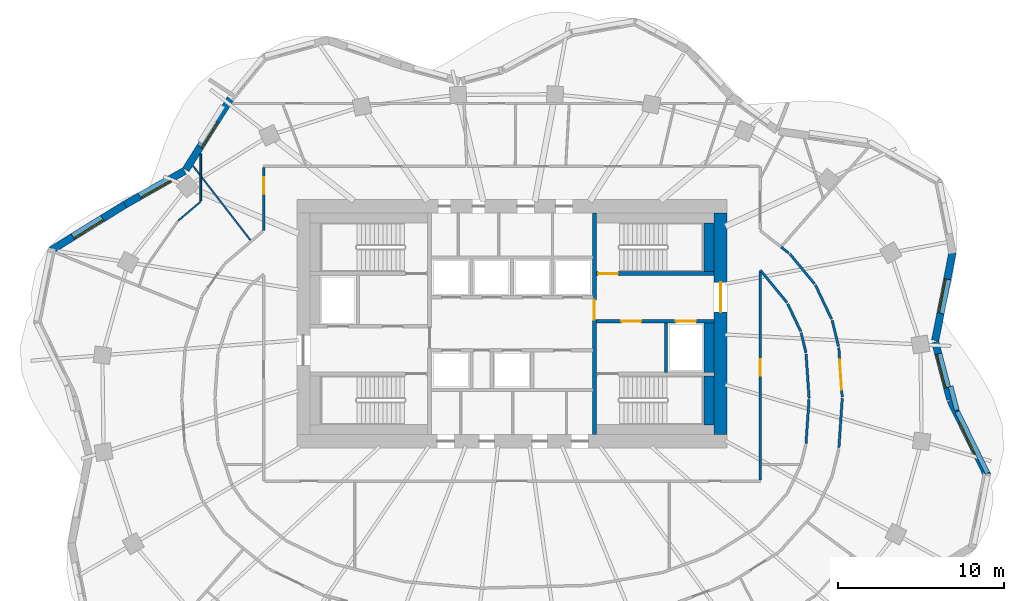
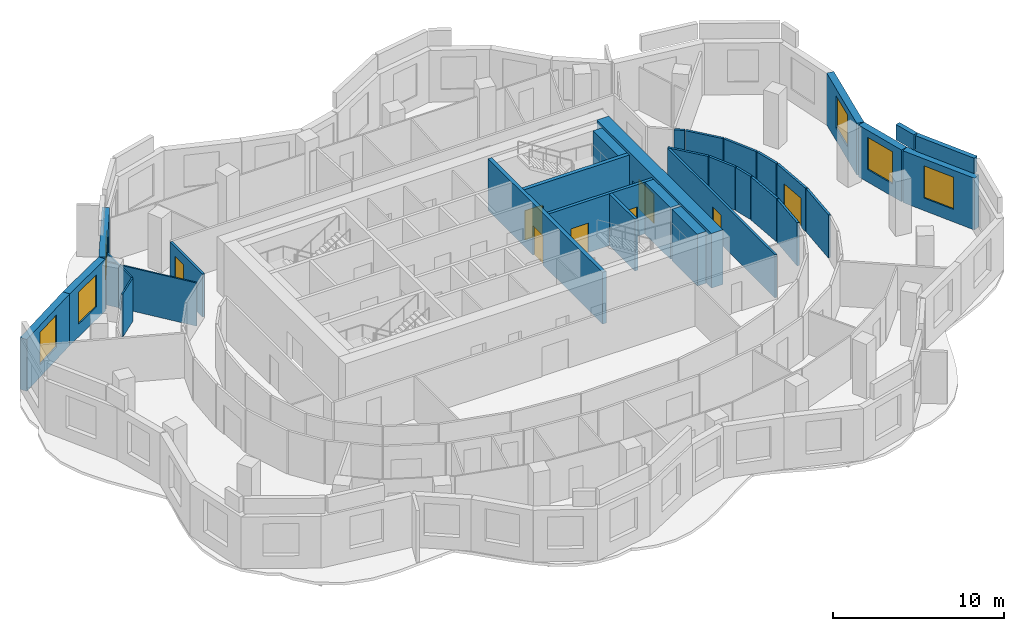
# One storey, part 7 of 11: 32 walls, 8 doors, 6 windows, 14 openings.
"""IFC4 building model written with IfcOpenShell, lengths in metres."""

from ifc_helpers import new_model, si_unit, direction, frame, frame_2d, origin, place, context, subcontext, project, spatial, rectangle, extrude, material, layer, layer_set, type_object, element, fill, save


model = new_model("IFC4")

# Units and contexts
model_context = context("Model", 3, precision=1e-05, world=origin(), true_north=direction((0.0, 1.0)))
body_context = subcontext(model_context, "Body", "Model", "MODEL_VIEW")
ifc_project = project(units=[si_unit("LENGTHUNIT", "METRE"), si_unit("AREAUNIT", "SQUARE_METRE"), si_unit("VOLUMEUNIT", "CUBIC_METRE"), si_unit("PLANEANGLEUNIT", "RADIAN"), si_unit("MASSUNIT", "GRAM", prefix="KILO")], contexts=[model_context])

# Site, building, storey
site_placement = place(None, origin())
site = spatial("IfcSite", under=ifc_project, at=site_placement, CompositionType="ELEMENT")
building_placement = place(site_placement, origin())
building = spatial("IfcBuilding", under=site, at=building_placement, Name="Rubra Terraces Tower", CompositionType="ELEMENT")
storey_placement = place(building_placement, frame((0.0, 0.0, 237.0)))
storey = spatial("IfcBuildingStorey", under=building, at=storey_placement, Name="L58", CompositionType="ELEMENT", Elevation=237.0)

# Wall, opening, window
ifc_material_1 = material(Name="Brick masonry red-brown", Category="masonry")
ifc_layer_1 = layer(ifc_material_1, 0.449951171875)
ifc_layer_set_1 = layer_set([ifc_layer_1], Name="Brick masonry red-brown")
wall_type_1 = type_object("IfcWallType", Name="Brick facade wall 450", PredefinedType="SOLIDWALL", material=ifc_layer_set_1)
wall_1_placement = place(storey_placement, frame((26.469482421875, -0.0791015625, 0.0), z_axis=(0.0, 0.0, 1.0), x_axis=(-0.252446779859, 0.967610780913, 0.0)))
wall_1 = element("IfcWall", 1, at=wall_1_placement, inside=storey, type_object=wall_type_1, Name="Facade wall L58 bay 1", PredefinedType="SOLIDWALL", context=body_context, shape_type="SweptSolid", body=[
    extrude(rectangle(XDim=3.5947265625, YDim=0.449951171875, at=frame_2d((1.79736328125, 0.0))), origin(), (0.0, 0.0, 1.0), 3.699951171875),
])
opening_1_placement = place(wall_1_placement, frame((0.747314453125, 0.0, 0.89990234375)))
opening_1 = element("IfcOpeningElement", 2, at=opening_1_placement, cuts=wall_1, Name="Opening W1B", PredefinedType="OPENING", context=body_context, shape_type="SweptSolid", body=[
    extrude(rectangle(XDim=2.10009765625, YDim=2.300048828125, at=frame_2d((1.050048828125, 1.14990234375))), frame((0.0, 0.23486328125, 0.0), z_axis=(0.0, -1.0, 0.0), x_axis=(1.0, 0.0, 0.0)), (0.0, 0.0, 1.0), 0.469970703125),
])
ifc_material_2 = material(Name="Clear glass in aluminium frame", Category="aluminium")
window_type_1 = type_object("IfcWindowType", Name="Fixed deep-set window tall storey 2100 x 2300", PartitioningType="SINGLE_PANEL", PredefinedType="WINDOW", material=ifc_material_2)
window_1_placement = place(opening_1_placement, origin())
window_1 = element("IfcWindow", 3, at=window_1_placement, inside=storey, type_object=window_type_1, Name="Window L58 bay 1", OverallHeight=2.300048828125, OverallWidth=2.10009765625, PartitioningType="SINGLE_PANEL", PredefinedType="WINDOW", context=body_context, shape_type="SweptSolid", body=[
    extrude(rectangle(XDim=2.10009765625, YDim=2.300048828125, at=frame_2d((1.050048828125, 1.14990234375))), frame((0.0, 0.135009765625, 0.0), z_axis=(0.0, -1.0, 0.0), x_axis=(1.0, 0.0, 0.0)), (0.0, 0.0, 1.0), 0.06005859375),
])
fill(opening_1, window_1)

wall_2_placement = place(storey_placement, frame((25.561279296875, 3.490478515625, 0.0), z_axis=(0.0, 0.0, 1.0), x_axis=(0.192494026297, 0.981298145234, 0.0)))
wall_2 = element("IfcWall", 4, at=wall_2_placement, inside=storey, type_object=wall_type_1, Name="Facade wall L58 bay 2", PredefinedType="SOLIDWALL", context=body_context, shape_type="SweptSolid", body=[
    extrude(rectangle(XDim=5.446044921875, YDim=0.449951171875, at=frame_2d((2.72314453125, 0.0))), origin(), (0.0, 0.0, 1.0), 3.699951171875),
])
opening_2_placement = place(wall_2_placement, frame((1.673095703125, 0.0, 0.89990234375)))
opening_2 = element("IfcOpeningElement", 5, at=opening_2_placement, cuts=wall_2, Name="Opening W1B", PredefinedType="OPENING", context=body_context, shape_type="SweptSolid", body=[
    extrude(rectangle(XDim=2.10009765625, YDim=2.300048828125, at=frame_2d((1.050048828125, 1.14990234375))), frame((0.0, 0.23486328125, 0.0), z_axis=(0.0, -1.0, 0.0), x_axis=(1.0, 0.0, 0.0)), (0.0, 0.0, 1.0), 0.469970703125),
])
window_2_placement = place(opening_2_placement, origin())
window_2 = element("IfcWindow", 6, at=window_2_placement, inside=storey, type_object=window_type_1, Name="Window L58 bay 2", OverallHeight=2.300048828125, OverallWidth=2.10009765625, PartitioningType="SINGLE_PANEL", PredefinedType="WINDOW", context=body_context, shape_type="SweptSolid", body=[
    extrude(rectangle(XDim=2.10009765625, YDim=2.300048828125, at=frame_2d((1.050048828125, 1.14990234375))), frame((0.0, 0.135009765625, 0.0), z_axis=(0.0, -1.0, 0.0), x_axis=(1.0, 0.0, 0.0)), (0.0, 0.0, 1.0), 0.06005859375),
])
fill(opening_2, window_2)

wall_3_placement = place(storey_placement, frame((-16.998291015625, 18.0986328125, 0.0), z_axis=(0.0, 0.0, 1.0), x_axis=(-0.532745661304, -0.846275404559, 0.0)))
wall_3 = element("IfcWall", 7, at=wall_3_placement, inside=storey, type_object=wall_type_1, Name="Facade wall L58 bay 16", PredefinedType="SOLIDWALL", context=body_context, shape_type="SweptSolid", body=[
    extrude(rectangle(XDim=5.076171875, YDim=0.449951171875, at=frame_2d((2.5380859375, 0.0))), origin(), (0.0, 0.0, 1.0), 3.699951171875),
])
opening_3_placement = place(wall_3_placement, frame((1.63818359375, 0.0, 0.89990234375)))
opening_3 = element("IfcOpeningElement", 8, at=opening_3_placement, cuts=wall_3, Name="Opening W6B", PredefinedType="OPENING", context=body_context, shape_type="SweptSolid", body=[
    extrude(rectangle(XDim=1.800048828125, YDim=2.300048828125, at=frame_2d((0.89990234375, 1.14990234375))), frame((0.0, 0.23486328125, 0.0), z_axis=(0.0, -1.0, 0.0), x_axis=(1.0, 0.0, 0.0)), (0.0, 0.0, 1.0), 0.469970703125),
])
window_type_2 = type_object("IfcWindowType", Name="Fixed deep-set window at wind fin tall storey 1800 x 2300", PartitioningType="SINGLE_PANEL", PredefinedType="WINDOW", material=ifc_material_2)
window_3_placement = place(opening_3_placement, origin())
window_3 = element("IfcWindow", 9, at=window_3_placement, inside=storey, type_object=window_type_2, Name="Window L58 bay 16", OverallHeight=2.300048828125, OverallWidth=1.800048828125, PartitioningType="SINGLE_PANEL", PredefinedType="WINDOW", context=body_context, shape_type="SweptSolid", body=[
    extrude(rectangle(XDim=1.800048828125, YDim=2.300048828125, at=frame_2d((0.89990234375, 1.14990234375))), frame((0.0, 0.135009765625, 0.0), z_axis=(0.0, -1.0, 0.0), x_axis=(1.0, 0.0, 0.0)), (0.0, 0.0, 1.0), 0.06005859375),
])
fill(opening_3, window_3)

wall_4_placement = place(storey_placement, frame((-19.77587890625, 13.730712890625, 0.0), z_axis=(0.0, 0.0, 1.0), x_axis=(-0.870610133829, -0.491973571318, 0.0)))
wall_4 = element("IfcWall", 10, at=wall_4_placement, inside=storey, type_object=wall_type_1, Name="Facade wall L58 bay 17", PredefinedType="SOLIDWALL", context=body_context, shape_type="SweptSolid", body=[
    extrude(rectangle(XDim=4.1337890625, YDim=0.449951171875, at=frame_2d((2.06689453125, 0.0))), origin(), (0.0, 0.0, 1.0), 3.699951171875),
])
opening_4_placement = place(wall_4_placement, frame((1.016845703125, 0.0, 0.89990234375)))
opening_4 = element("IfcOpeningElement", 11, at=opening_4_placement, cuts=wall_4, Name="Opening W1B", PredefinedType="OPENING", context=body_context, shape_type="SweptSolid", body=[
    extrude(rectangle(XDim=2.10009765625, YDim=2.300048828125, at=frame_2d((1.050048828125, 1.14990234375))), frame((0.0, 0.23486328125, 0.0), z_axis=(0.0, -1.0, 0.0), x_axis=(1.0, 0.0, 0.0)), (0.0, 0.0, 1.0), 0.469970703125),
])
window_4_placement = place(opening_4_placement, origin())
window_4 = element("IfcWindow", 12, at=window_4_placement, inside=storey, type_object=window_type_1, Name="Window L58 bay 17", OverallHeight=2.300048828125, OverallWidth=2.10009765625, PartitioningType="SINGLE_PANEL", PredefinedType="WINDOW", context=body_context, shape_type="SweptSolid", body=[
    extrude(rectangle(XDim=2.10009765625, YDim=2.300048828125, at=frame_2d((1.050048828125, 1.14990234375))), frame((0.0, 0.135009765625, 0.0), z_axis=(0.0, -1.0, 0.0), x_axis=(1.0, 0.0, 0.0)), (0.0, 0.0, 1.0), 0.06005859375),
])
fill(opening_4, window_4)

wall_5_placement = place(storey_placement, frame((-23.368408203125, 11.700927734375, 0.0), z_axis=(0.0, 0.0, 1.0), x_axis=(-0.850251408633, -0.526376806211, 0.0)))
wall_5 = element("IfcWall", 13, at=wall_5_placement, inside=storey, type_object=wall_type_1, Name="Facade wall L58 bay 18", PredefinedType="SOLIDWALL", context=body_context, shape_type="SweptSolid", body=[
    extrude(rectangle(XDim=5.30224609375, YDim=0.449951171875, at=frame_2d((2.651123046875, 0.0))), origin(), (0.0, 0.0, 1.0), 3.699951171875),
])
opening_5_placement = place(wall_5_placement, frame((1.601318359375, 0.0, 0.89990234375)))
opening_5 = element("IfcOpeningElement", 14, at=opening_5_placement, cuts=wall_5, Name="Opening W1B", PredefinedType="OPENING", context=body_context, shape_type="SweptSolid", body=[
    extrude(rectangle(XDim=2.10009765625, YDim=2.300048828125, at=frame_2d((1.050048828125, 1.14990234375))), frame((0.0, 0.23486328125, 0.0), z_axis=(0.0, -1.0, 0.0), x_axis=(1.0, 0.0, 0.0)), (0.0, 0.0, 1.0), 0.469970703125),
])
window_5_placement = place(opening_5_placement, origin())
window_5 = element("IfcWindow", 15, at=window_5_placement, inside=storey, type_object=window_type_1, Name="Window L58 bay 18", OverallHeight=2.300048828125, OverallWidth=2.10009765625, PartitioningType="SINGLE_PANEL", PredefinedType="WINDOW", context=body_context, shape_type="SweptSolid", body=[
    extrude(rectangle(XDim=2.10009765625, YDim=2.300048828125, at=frame_2d((1.050048828125, 1.14990234375))), frame((0.0, 0.135009765625, 0.0), z_axis=(0.0, -1.0, 0.0), x_axis=(1.0, 0.0, 0.0)), (0.0, 0.0, 1.0), 0.06005859375),
])
fill(opening_5, window_5)

wall_6_placement = place(storey_placement, frame((28.70703125, -4.672119140625, 0.0), z_axis=(0.0, 0.0, 1.0), x_axis=(-0.439053549989, 0.898460895221, 0.0)))
wall_6 = element("IfcWall", 16, at=wall_6_placement, inside=storey, type_object=wall_type_1, Name="Facade wall L58 bay 40", PredefinedType="SOLIDWALL", context=body_context, shape_type="SweptSolid", body=[
    extrude(rectangle(XDim=5.061767578125, YDim=0.449951171875, at=frame_2d((2.53076171875, 0.0))), origin(), (0.0, 0.0, 1.0), 3.699951171875),
])
opening_6_placement = place(wall_6_placement, frame((1.48095703125, 0.0, 0.89990234375)))
opening_6 = element("IfcOpeningElement", 17, at=opening_6_placement, cuts=wall_6, Name="Opening W1B", PredefinedType="OPENING", context=body_context, shape_type="SweptSolid", body=[
    extrude(rectangle(XDim=2.10009765625, YDim=2.300048828125, at=frame_2d((1.050048828125, 1.14990234375))), frame((0.0, 0.23486328125, 0.0), z_axis=(0.0, -1.0, 0.0), x_axis=(1.0, 0.0, 0.0)), (0.0, 0.0, 1.0), 0.469970703125),
])
window_6_placement = place(opening_6_placement, origin())
window_6 = element("IfcWindow", 18, at=window_6_placement, inside=storey, type_object=window_type_1, Name="Window L58 bay 40", OverallHeight=2.300048828125, OverallWidth=2.10009765625, PartitioningType="SINGLE_PANEL", PredefinedType="WINDOW", context=body_context, shape_type="SweptSolid", body=[
    extrude(rectangle(XDim=2.10009765625, YDim=2.300048828125, at=frame_2d((1.050048828125, 1.14990234375))), frame((0.0, 0.135009765625, 0.0), z_axis=(0.0, -1.0, 0.0), x_axis=(1.0, 0.0, 0.0)), (0.0, 0.0, 1.0), 0.06005859375),
])
fill(opening_6, window_6)

# Walls
ifc_layer_2 = layer(ifc_material_1, 0.300048828125)
ifc_layer_set_2 = layer_set([ifc_layer_2], Name="Brick masonry red-brown")
wall_type_2 = type_object("IfcWallType", Name="Brick parapet 300", PredefinedType="PARAPET", material=ifc_layer_set_2)
wall_7_placement = place(storey_placement, frame((26.869140625, -0.72021484375, 3.89990234375), z_axis=(0.0, 0.0, 1.0), x_axis=(-0.252455198803, 0.967608584396, 0.0)))
element("IfcWall", 19, at=wall_7_placement, inside=storey, type_object=wall_type_2, Name="Parapet L58 bay 1", PredefinedType="PARAPET", context=body_context, shape_type="SweptSolid", body=[
    extrude(rectangle(XDim=1.4921875, YDim=0.300048828125, at=frame_2d((0.74609375, 0.0))), origin(), (0.0, 0.0, 1.0), 1.10009765625),
])
wall_8_placement = place(storey_placement, frame((28.719482421875, -4.5263671875, 3.89990234375), z_axis=(0.0, 0.0, 1.0), x_axis=(-0.439134033243, 0.898421560765, 0.0)))
element("IfcWall", 20, at=wall_8_placement, inside=storey, type_object=wall_type_2, Name="Parapet L58 bay 40", PredefinedType="PARAPET", context=body_context, shape_type="SweptSolid", body=[
    extrude(rectangle(XDim=4.14306640625, YDim=0.300048828125, at=frame_2d((2.071533203125, 0.0))), origin(), (0.0, 0.0, 1.0), 1.10009765625),
])

# Wall, opening, door
ifc_material_3 = material(Name="Concrete C50", Category="concrete")
ifc_layer_3 = layer(ifc_material_3, 0.800048828125)
ifc_layer_set_3 = layer_set([ifc_layer_3], Name="Concrete C50")
wall_type_3 = type_object("IfcWallType", Name="CORE WALL 800 C50", PredefinedType="SHEAR", material=ifc_layer_set_3)
wall_9_placement = place(storey_placement, frame((12.60009765625, -2.199951171875, 0.0), z_axis=(0.0, 0.0, 1.0), x_axis=(0.0, 1.0, 0.0)))
wall_9 = element("IfcWall", 21, at=wall_9_placement, inside=storey, type_object=wall_type_3, Name="CORE WALL E L58", PredefinedType="SHEAR", context=body_context, shape_type="SweptSolid", body=[
    extrude(rectangle(XDim=13.39990234375, YDim=0.800048828125, at=frame_2d((6.699951171875, 0.0))), origin(), (0.0, 0.0, 1.0), 3.89990234375),
])
opening_7_placement = place(wall_9_placement, frame((7.39990234375, 0.0, 0.0)))
opening_7 = element("IfcOpeningElement", 22, at=opening_7_placement, cuts=wall_9, Name="Opening L58.C02", PredefinedType="OPENING", context=body_context, shape_type="SweptSolid", body=[
    extrude(rectangle(XDim=1.800048828125, YDim=2.10009765625, at=frame_2d((0.89990234375, 1.050048828125))), frame((0.0, 0.409912109375, 0.0), z_axis=(0.0, -1.0, 0.0), x_axis=(1.0, 0.0, 0.0)), (0.0, 0.0, 1.0), 0.820068359375),
])
ifc_material_4 = material(Name="Painted steel", Category="steel")
door_type_1 = type_object("IfcDoorType", Name="Fire door 1800x2100 double", OperationType="NOTDEFINED", PredefinedType="DOOR", material=ifc_material_4)
door_1_placement = place(opening_7_placement, origin())
door_1 = element("IfcDoor", 23, at=door_1_placement, inside=storey, type_object=door_type_1, Name="Core entrance door FF2", OperationType="DOUBLE_DOOR_SINGLE_SWING", OverallHeight=2.10009765625, OverallWidth=1.800048828125, PredefinedType="DOOR", context=body_context, shape_type="SweptSolid", body=[
    extrude(rectangle(XDim=1.800048828125, YDim=2.10009765625, at=frame_2d((0.89990234375, 1.050048828125))), frame((0.0, 0.02490234375, 0.0), z_axis=(0.0, -1.0, 0.0), x_axis=(1.0, 0.0, 0.0)), (0.0, 0.0, 1.0), 0.050048828125),
])
fill(opening_7, door_1)

# Wall
ifc_material_5 = material(Name="Plasterboard on steel stud, mineral wool infill", Category="steel")
ifc_layer_4 = layer(ifc_material_5, 0.14990234375)
ifc_layer_set_4 = layer_set([ifc_layer_4], Name="Plasterboard on steel stud, mineral wool infill")
wall_type_4 = type_object("IfcWallType", Name="CORRIDOR PARTITION 150", PredefinedType="PARTITIONING", material=ifc_layer_set_4)
wall_10_placement = place(storey_placement, frame((19.745361328125, -2.9775390625, 0.0), z_axis=(0.0, 0.0, 1.0), x_axis=(0.068142324, 0.997675610447, 0.0)))
element("IfcWall", 24, at=wall_10_placement, inside=storey, type_object=wall_type_4, Name="PARTITION", PredefinedType="PARTITIONING", context=body_context, shape_type="SweptSolid", body=[
    extrude(rectangle(XDim=2.984375, YDim=0.14990234375, at=frame_2d((1.4921875, 0.0))), origin(), (0.0, 0.0, 1.0), 3.083984375),
])

# Wall, opening, door
wall_11_placement = place(storey_placement, frame((19.943603515625, 0.07470703125, 0.0), z_axis=(0.0, 0.0, 1.0), x_axis=(-0.068136763128, 0.997675990245, 0.0)))
wall_11 = element("IfcWall", 25, at=wall_11_placement, inside=storey, type_object=wall_type_4, Name="PARTITION", PredefinedType="PARTITIONING", context=body_context, shape_type="SweptSolid", body=[
    extrude(rectangle(XDim=2.984619140625, YDim=0.14990234375, at=frame_2d((1.4921875, 0.0))), origin(), (0.0, 0.0, 1.0), 3.083984375),
])
opening_8_placement = place(wall_11_placement, frame((0.449951171875, 0.0, 0.0)))
opening_8 = element("IfcOpeningElement", 26, at=opening_8_placement, cuts=wall_11, Name="Opening 58-111", PredefinedType="OPENING", context=body_context, shape_type="SweptSolid", body=[
    extrude(rectangle(XDim=1.800048828125, YDim=2.10009765625, at=frame_2d((0.89990234375, 1.050048828125))), frame((0.0, 0.0849609375, 0.0), z_axis=(0.0, -1.0, 0.0), x_axis=(1.0, 0.0, 0.0)), (0.0, 0.0, 1.0), 0.169921875),
])
ifc_material_6 = material(Name="Painted timber door leaf, double", Category="wood")
door_type_2 = type_object("IfcDoorType", Name="ROOM DOUBLE DOOR 1800 X 2100", OperationType="DOUBLE_DOOR_SINGLE_SWING", PredefinedType="DOOR", material=ifc_material_6)
door_2_placement = place(opening_8_placement, origin())
door_2 = element("IfcDoor", 27, at=door_2_placement, inside=storey, type_object=door_type_2, Name="DOOR 58-111", OperationType="DOUBLE_DOOR_SINGLE_SWING", OverallHeight=2.10009765625, OverallWidth=1.800048828125, PredefinedType="DOOR", context=body_context, shape_type="SweptSolid", body=[
    extrude(rectangle(XDim=1.800048828125, YDim=2.10009765625, at=frame_2d((0.89990234375, 1.050048828125))), frame((0.0, 0.02490234375, 0.0), z_axis=(0.0, -1.0, 0.0), x_axis=(1.0, 0.0, 0.0)), (0.0, 0.0, 1.0), 0.050048828125),
])
fill(opening_8, door_2)

# Walls
wall_12_placement = place(storey_placement, frame((19.722412109375, 3.125244140625, 0.0), z_axis=(0.0, 0.0, 1.0), x_axis=(-0.236703930685, 0.971581828359, 0.0)))
element("IfcWall", 28, at=wall_12_placement, inside=storey, type_object=wall_type_4, Name="PARTITION", PredefinedType="PARTITIONING", context=body_context, shape_type="SweptSolid", body=[
    extrude(rectangle(XDim=1.62646484375, YDim=0.14990234375, at=frame_2d((0.813232421875, 0.0))), origin(), (0.0, 0.0, 1.0), 3.083984375),
])
wall_13_placement = place(storey_placement, frame((19.305419921875, 4.7734375, 0.0), z_axis=(0.0, 0.0, 1.0), x_axis=(-0.428173054138, 0.903696760927, 0.0)))
element("IfcWall", 29, at=wall_13_placement, inside=storey, type_object=wall_type_4, Name="PARTITION", PredefinedType="PARTITIONING", context=body_context, shape_type="SweptSolid", body=[
    extrude(rectangle(XDim=2.299560546875, YDim=0.14990234375, at=frame_2d((1.14990234375, 0.0))), origin(), (0.0, 0.0, 1.0), 3.083984375),
])
wall_14_placement = place(storey_placement, frame((18.273193359375, 6.9091796875, 0.0), z_axis=(0.0, 0.0, 1.0), x_axis=(-0.63653648943, 0.771246586783, 0.0)))
element("IfcWall", 30, at=wall_14_placement, inside=storey, type_object=wall_type_4, Name="PARTITION", PredefinedType="PARTITIONING", context=body_context, shape_type="SweptSolid", body=[
    extrude(rectangle(XDim=2.341552734375, YDim=0.14990234375, at=frame_2d((1.1708984375, 0.0))), origin(), (0.0, 0.0, 1.0), 3.083984375),
])
wall_15_placement = place(storey_placement, frame((16.723876953125, 8.761474609375, 0.0), z_axis=(0.0, 0.0, 1.0), x_axis=(-0.785119021736, 0.619344913363, 0.0)))
element("IfcWall", 31, at=wall_15_placement, inside=storey, type_object=wall_type_4, Name="PARTITION", PredefinedType="PARTITIONING", context=body_context, shape_type="SweptSolid", body=[
    extrude(rectangle(XDim=0.608154296875, YDim=0.14990234375, at=frame_2d((0.30419921875, 0.0))), origin(), (0.0, 0.0, 1.0), 3.083984375),
])

# Wall, opening, door
wall_16_placement = place(storey_placement, frame((-15.0, 13.925048828125, 0.0), z_axis=(0.0, 0.0, 1.0), x_axis=(0.0, -1.0, 0.0)))
wall_16 = element("IfcWall", 32, at=wall_16_placement, inside=storey, type_object=wall_type_4, Name="PARTITION", PredefinedType="PARTITIONING", context=body_context, shape_type="SweptSolid", body=[
    extrude(rectangle(XDim=3.803466796875, YDim=0.14990234375, at=frame_2d((1.90185546875, 0.0))), origin(), (0.0, 0.0, 1.0), 3.083984375),
])
opening_9_placement = place(wall_16_placement, frame((0.56591796875, 0.0, 0.0)))
opening_9 = element("IfcOpeningElement", 33, at=opening_9_placement, cuts=wall_16, Name="Opening 58-118", PredefinedType="OPENING", context=body_context, shape_type="SweptSolid", body=[
    extrude(rectangle(XDim=1.0, YDim=2.39990234375, at=frame_2d((0.5, 1.199951171875))), frame((0.0, 0.0849609375, 0.0), z_axis=(0.0, -1.0, 0.0), x_axis=(1.0, 0.0, 0.0)), (0.0, 0.0, 1.0), 0.169921875),
])
ifc_material_7 = material(Name="Glazed aluminium meeting door leaf", Category="aluminium")
door_type_3 = type_object("IfcDoorType", Name="MEETING ROOM GLAZED DOOR 1000 X 2400", OperationType="SINGLE_SWING_LEFT", PredefinedType="DOOR", material=ifc_material_7)
door_3_placement = place(opening_9_placement, origin())
door_3 = element("IfcDoor", 34, at=door_3_placement, inside=storey, type_object=door_type_3, Name="DOOR 58-118", OperationType="SINGLE_SWING_RIGHT", OverallHeight=2.39990234375, OverallWidth=1.0, PredefinedType="DOOR", context=body_context, shape_type="SweptSolid", body=[
    extrude(rectangle(XDim=1.0, YDim=2.39990234375, at=frame_2d((0.5, 1.199951171875))), frame((0.0, 0.02490234375, 0.0), z_axis=(0.0, -1.0, 0.0), x_axis=(1.0, 0.0, 0.0)), (0.0, 0.0, 1.0), 0.050048828125),
])
fill(opening_9, door_3)

# Walls
wall_17_placement = place(storey_placement, frame((15.0, 7.73291015625, 0.0), z_axis=(0.0, 0.0, 1.0), x_axis=(0.636601263488, -0.771193121938, 0.0)))
element("IfcWall", 35, at=wall_17_placement, inside=storey, type_object=wall_type_4, Name="PARTITION", PredefinedType="PARTITIONING", context=body_context, shape_type="SweptSolid", body=[
    extrude(rectangle(XDim=2.544921875, YDim=0.14990234375, at=frame_2d((1.2724609375, 0.0))), origin(), (0.0, 0.0, 1.0), 3.083984375),
])
wall_18_placement = place(storey_placement, frame((16.652099609375, 5.702392578125, 0.0), z_axis=(0.0, 0.0, 1.0), x_axis=(0.428126129773, -0.903718992279, 0.0)))
element("IfcWall", 36, at=wall_18_placement, inside=storey, type_object=wall_type_4, Name="PARTITION", PredefinedType="PARTITIONING", context=body_context, shape_type="SweptSolid", body=[
    extrude(rectangle(XDim=1.846435546875, YDim=0.14990234375, at=frame_2d((0.92333984375, 0.0))), origin(), (0.0, 0.0, 1.0), 3.083984375),
])
wall_19_placement = place(storey_placement, frame((17.46044921875, 3.9609375, 0.0), z_axis=(0.0, 0.0, 1.0), x_axis=(0.236655249498, -0.971593687137, 0.0)))
element("IfcWall", 37, at=wall_19_placement, inside=storey, type_object=wall_type_4, Name="PARTITION", PredefinedType="PARTITIONING", context=body_context, shape_type="SweptSolid", body=[
    extrude(rectangle(XDim=1.25146484375, YDim=0.14990234375, at=frame_2d((0.625732421875, 0.0))), origin(), (0.0, 0.0, 1.0), 3.083984375),
])
wall_20_placement = place(storey_placement, frame((17.76171875, 2.67041015625, 0.0), z_axis=(0.0, 0.0, 1.0), x_axis=(0.068135311644, -0.997676089373, 0.0)))
element("IfcWall", 38, at=wall_20_placement, inside=storey, type_object=wall_type_4, Name="PARTITION", PredefinedType="PARTITIONING", context=body_context, shape_type="SweptSolid", body=[
    extrude(rectangle(XDim=2.676513671875, YDim=0.14990234375, at=frame_2d((1.33837890625, 0.0))), origin(), (0.0, 0.0, 1.0), 3.083984375),
])
wall_21_placement = place(storey_placement, frame((17.939208984375, -0.07470703125, 0.0), z_axis=(0.0, 0.0, 1.0), x_axis=(-0.068226099283, -0.99766988497, 0.0)))
element("IfcWall", 39, at=wall_21_placement, inside=storey, type_object=wall_type_4, Name="PARTITION", PredefinedType="PARTITIONING", context=body_context, shape_type="SweptSolid", body=[
    extrude(rectangle(XDim=2.6767578125, YDim=0.14990234375, at=frame_2d((1.33837890625, 0.0))), origin(), (0.0, 0.0, 1.0), 3.083984375),
])

# Wall, opening, door
wall_22_placement = place(storey_placement, frame((15.0, -4.925048828125, 0.0), z_axis=(0.0, 0.0, 1.0), x_axis=(0.0, 1.0, 0.0)))
wall_22 = element("IfcWall", 40, at=wall_22_placement, inside=storey, type_object=wall_type_4, Name="PARTITION", PredefinedType="PARTITIONING", context=body_context, shape_type="SweptSolid", body=[
    extrude(rectangle(XDim=12.5830078125, YDim=0.14990234375, at=frame_2d((6.29150390625, 0.0))), origin(), (0.0, 0.0, 1.0), 3.083984375),
])
opening_10_placement = place(wall_22_placement, frame((6.291015625, 0.0, 0.0)))
opening_10 = element("IfcOpeningElement", 41, at=opening_10_placement, cuts=wall_22, Name="Opening 58-123", PredefinedType="OPENING", context=body_context, shape_type="SweptSolid", body=[
    extrude(rectangle(XDim=1.0, YDim=2.10009765625, at=frame_2d((0.5, 1.050048828125))), frame((0.0, 0.0849609375, 0.0), z_axis=(0.0, -1.0, 0.0), x_axis=(1.0, 0.0, 0.0)), (0.0, 0.0, 1.0), 0.169921875),
])
ifc_material_8 = material(Name="Painted timber door leaf", Category="wood")
door_type_4 = type_object("IfcDoorType", Name="ROOM DOOR 1000 X 2100", OperationType="SINGLE_SWING_LEFT", PredefinedType="DOOR", material=ifc_material_8)
door_4_placement = place(opening_10_placement, origin())
door_4 = element("IfcDoor", 42, at=door_4_placement, inside=storey, type_object=door_type_4, Name="DOOR 58-123", OperationType="SINGLE_SWING_RIGHT", OverallHeight=2.10009765625, OverallWidth=1.0, PredefinedType="DOOR", context=body_context, shape_type="SweptSolid", body=[
    extrude(rectangle(XDim=1.0, YDim=2.10009765625, at=frame_2d((0.5, 1.050048828125))), frame((0.0, 0.02490234375, 0.0), z_axis=(0.0, -1.0, 0.0), x_axis=(1.0, 0.0, 0.0)), (0.0, 0.0, 1.0), 0.050048828125),
])
fill(opening_10, door_4)

# Walls
ifc_material_9 = material(Name="Concrete C40", Category="concrete")
ifc_layer_5 = layer(ifc_material_9, 0.60009765625)
ifc_layer_set_5 = layer_set([ifc_layer_5], Name="Concrete C40")
wall_type_5 = type_object("IfcWallType", Name="Core lining wall 600 concrete", PredefinedType="SOLIDWALL", material=ifc_layer_set_5)
wall_23_placement = place(storey_placement, frame((11.89990234375, 10.60009765625, 0.0), z_axis=(0.0, 0.0, 1.0), x_axis=(0.0, -1.0, 0.0)))
element("IfcWall", 43, at=wall_23_placement, inside=storey, type_object=wall_type_5, Name="CORE LINING WALL L58", PredefinedType="SOLIDWALL", context=body_context, shape_type="SweptSolid", body=[
    extrude(rectangle(XDim=2.9501953125, YDim=0.60009765625, at=frame_2d((1.47509765625, 0.0))), origin(), (0.0, 0.0, 1.0), 3.699951171875),
])
wall_24_placement = place(storey_placement, frame((11.89990234375, 4.550048828125, 0.0), z_axis=(0.0, 0.0, 1.0), x_axis=(0.0, -1.0, 0.0)))
element("IfcWall", 44, at=wall_24_placement, inside=storey, type_object=wall_type_5, Name="CORE LINING WALL L58", PredefinedType="SOLIDWALL", context=body_context, shape_type="SweptSolid", body=[
    extrude(rectangle(XDim=3.0, YDim=0.60009765625, at=frame_2d((1.5, 0.0))), origin(), (0.0, 0.0, 1.0), 3.699951171875),
])
wall_25_placement = place(storey_placement, frame((11.89990234375, 1.35009765625, 0.0), z_axis=(0.0, 0.0, 1.0), x_axis=(0.0, -1.0, 0.0)))
element("IfcWall", 45, at=wall_25_placement, inside=storey, type_object=wall_type_5, Name="CORE LINING WALL L58", PredefinedType="SOLIDWALL", context=body_context, shape_type="SweptSolid", body=[
    extrude(rectangle(XDim=2.9501953125, YDim=0.60009765625, at=frame_2d((1.47509765625, 0.0))), origin(), (0.0, 0.0, 1.0), 3.699951171875),
])

# Wall, openings, doors
ifc_material_10 = material(Name="Concrete C30", Category="concrete")
ifc_layer_6 = layer(ifc_material_10, 0.199951171875)
ifc_layer_set_6 = layer_set([ifc_layer_6], Name="Concrete C30")
wall_type_6 = type_object("IfcWallType", Name="Core wall 200 concrete", PredefinedType="SOLIDWALL", material=ifc_layer_set_6)
wall_26_placement = place(storey_placement, frame((12.199951171875, 4.64990234375, 0.0), z_axis=(0.0, 0.0, 1.0), x_axis=(-1.0, 0.0, 0.0)))
wall_26 = element("IfcWall", 46, at=wall_26_placement, inside=storey, type_object=wall_type_6, Name="STAIR WALL L58", PredefinedType="SOLIDWALL", context=body_context, shape_type="SweptSolid", body=[
    extrude(rectangle(XDim=7.099853515625, YDim=0.199951171875, at=frame_2d((3.5498046875, 0.0))), origin(), (0.0, 0.0, 1.0), 3.699951171875),
])
opening_11_placement = place(wall_26_placement, frame((4.39990234375, 0.0, 0.0)))
opening_11 = element("IfcOpeningElement", 47, at=opening_11_placement, cuts=wall_26, Name="Opening L58.C06", PredefinedType="OPENING", context=body_context, shape_type="SweptSolid", body=[
    extrude(rectangle(XDim=1.199951171875, YDim=2.10009765625, at=frame_2d((0.60009765625, 1.050048828125))), frame((0.0, 0.10986328125, 0.0), z_axis=(0.0, -1.0, 0.0), x_axis=(1.0, 0.0, 0.0)), (0.0, 0.0, 1.0), 0.219970703125),
])
opening_12_placement = place(wall_26_placement, frame((1.10009765625, 0.0, 0.0)))
opening_12 = element("IfcOpeningElement", 48, at=opening_12_placement, cuts=wall_26, Name="Opening L58.C12", PredefinedType="OPENING", context=body_context, shape_type="SweptSolid", body=[
    extrude(rectangle(XDim=1.199951171875, YDim=2.10009765625, at=frame_2d((0.60009765625, 1.050048828125))), frame((0.0, 0.10986328125, 0.0), z_axis=(0.0, -1.0, 0.0), x_axis=(1.0, 0.0, 0.0)), (0.0, 0.0, 1.0), 0.219970703125),
])
door_type_5 = type_object("IfcDoorType", Name="Fire door 1200x2100 single", OperationType="NOTDEFINED", PredefinedType="DOOR", material=ifc_material_4)
door_5_placement = place(opening_11_placement, origin())
door_5 = element("IfcDoor", 49, at=door_5_placement, inside=storey, type_object=door_type_5, Name="Stair vestibule door S4", OperationType="SINGLE_SWING_RIGHT", OverallHeight=2.10009765625, OverallWidth=1.199951171875, PredefinedType="DOOR", context=body_context, shape_type="SweptSolid", body=[
    extrude(rectangle(XDim=1.199951171875, YDim=2.10009765625, at=frame_2d((0.60009765625, 1.050048828125))), frame((0.0, 0.02490234375, 0.0), z_axis=(0.0, -1.0, 0.0), x_axis=(1.0, 0.0, 0.0)), (0.0, 0.0, 1.0), 0.050048828125),
])
fill(opening_11, door_5)
ifc_material_11 = material(Name="Stainless steel", Category="steel")
door_type_6 = type_object("IfcDoorType", Name="Lift landing door 1200x2100", OperationType="NOTDEFINED", PredefinedType="DOOR", material=ifc_material_11)
door_6_placement = place(opening_12_placement, origin())
door_6 = element("IfcDoor", 50, at=door_6_placement, inside=storey, type_object=door_type_6, Name="Landing door FF2", OperationType="SLIDING_TO_RIGHT", OverallHeight=2.10009765625, OverallWidth=1.199951171875, PredefinedType="DOOR", context=body_context, shape_type="SweptSolid", body=[
    extrude(rectangle(XDim=1.199951171875, YDim=2.10009765625, at=frame_2d((0.60009765625, 1.050048828125))), frame((0.0, 0.02490234375, 0.0), z_axis=(0.0, -1.0, 0.0), x_axis=(1.0, 0.0, 0.0)), (0.0, 0.0, 1.0), 0.050048828125),
])
fill(opening_12, door_6)

# Walls
wall_27_placement = place(storey_placement, frame((9.300048828125, 4.550048828125, 0.0), z_axis=(0.0, 0.0, 1.0), x_axis=(0.0, -1.0, 0.0)))
element("IfcWall", 51, at=wall_27_placement, inside=storey, type_object=wall_type_6, Name="STAIR WALL L58", PredefinedType="SOLIDWALL", context=body_context, shape_type="SweptSolid", body=[
    extrude(rectangle(XDim=3.0, YDim=0.199951171875, at=frame_2d((1.5, 0.0))), origin(), (0.0, 0.0, 1.0), 3.699951171875),
])
ifc_material_12 = material(Name="Plasterboard on steel stud", Category="steel")
ifc_layer_7 = layer(ifc_material_12, 0.10009765625)
ifc_layer_set_7 = layer_set([ifc_layer_7], Name="Plasterboard on steel stud")
wall_type_7 = type_object("IfcWallType", Name="ROOM PARTITION 100", PredefinedType="PARTITIONING", material=ifc_layer_set_7)
wall_28_placement = place(storey_placement, frame((-20.1513671875, 10.733642578125, 0.0), z_axis=(0.0, 0.0, 1.0), x_axis=(0.762465888028, 0.647028414827, 0.0)))
element("IfcWall", 52, at=wall_28_placement, inside=storey, type_object=wall_type_7, Name="PARTITION", PredefinedType="PARTITIONING", context=body_context, shape_type="SweptSolid", body=[
    extrude(rectangle(XDim=1.772216796875, YDim=0.10009765625, at=frame_2d((0.88623046875, 0.0))), origin(), (0.0, 0.0, 1.0), 3.083984375),
])
wall_29_placement = place(storey_placement, frame((-18.800048828125, 11.930419921875, 0.0), z_axis=(0.0, 0.0, 1.0), x_axis=(0.0, 1.0, 0.0)))
element("IfcWall", 53, at=wall_29_placement, inside=storey, type_object=wall_type_7, Name="PARTITION", PredefinedType="PARTITIONING", context=body_context, shape_type="SweptSolid", body=[
    extrude(rectangle(XDim=2.846435546875, YDim=0.10009765625, at=frame_2d((1.42333984375, 0.0))), origin(), (0.0, 0.0, 1.0), 3.083984375),
])
wall_30_placement = place(storey_placement, frame((-15.796142578125, 9.5439453125, 0.0), z_axis=(0.0, 0.0, 1.0), x_axis=(-0.611503699707, 0.79124157199, 0.0)))
element("IfcWall", 54, at=wall_30_placement, inside=storey, type_object=wall_type_7, Name="PARTITION", PredefinedType="PARTITIONING", context=body_context, shape_type="SweptSolid", body=[
    extrude(rectangle(XDim=5.687255859375, YDim=0.10009765625, at=frame_2d((2.84375, 0.0))), origin(), (0.0, 0.0, 1.0), 3.083984375),
])

# Wall, opening, door
ifc_layer_8 = layer(ifc_material_9, 0.25)
ifc_layer_set_8 = layer_set([ifc_layer_8], Name="Concrete C40")
wall_type_8 = type_object("IfcWallType", Name="Stair enclosure wall 250 concrete", PredefinedType="SOLIDWALL", material=ifc_layer_set_8)
wall_31_placement = place(storey_placement, frame((12.199951171875, 7.52490234375, 0.0), z_axis=(0.0, 0.0, 1.0), x_axis=(-1.0, 0.0, 0.0)))
wall_31 = element("IfcWall", 55, at=wall_31_placement, inside=storey, type_object=wall_type_8, Name="STAIR WALL L58", PredefinedType="SOLIDWALL", context=body_context, shape_type="SweptSolid", body=[
    extrude(rectangle(XDim=7.099853515625, YDim=0.25, at=frame_2d((3.5498046875, 0.0))), origin(), (0.0, 0.0, 1.0), 3.699951171875),
])
opening_13_placement = place(wall_31_placement, frame((5.800048828125, 0.0, 0.0)))
opening_13 = element("IfcOpeningElement", 56, at=opening_13_placement, cuts=wall_31, Name="Opening L58.C08", PredefinedType="OPENING", context=body_context, shape_type="SweptSolid", body=[
    extrude(rectangle(XDim=1.199951171875, YDim=2.10009765625, at=frame_2d((0.60009765625, 1.050048828125))), frame((0.0, 0.135009765625, 0.0), z_axis=(0.0, -1.0, 0.0), x_axis=(1.0, 0.0, 0.0)), (0.0, 0.0, 1.0), 0.27001953125),
])
door_7_placement = place(opening_13_placement, origin())
door_7 = element("IfcDoor", 57, at=door_7_placement, inside=storey, type_object=door_type_5, Name="Stair door S3", OperationType="SINGLE_SWING_RIGHT", OverallHeight=2.10009765625, OverallWidth=1.199951171875, PredefinedType="DOOR", context=body_context, shape_type="SweptSolid", body=[
    extrude(rectangle(XDim=1.199951171875, YDim=2.10009765625, at=frame_2d((0.60009765625, 1.050048828125))), frame((0.0, 0.02490234375, 0.0), z_axis=(0.0, -1.0, 0.0), x_axis=(1.0, 0.0, 0.0)), (0.0, 0.0, 1.0), 0.050048828125),
])
fill(opening_13, door_7)

wall_32_placement = place(storey_placement, frame((4.97509765625, 11.199951171875, 0.0), z_axis=(0.0, 0.0, 1.0), x_axis=(0.0, -1.0, 0.0)))
wall_32 = element("IfcWall", 58, at=wall_32_placement, inside=storey, type_object=wall_type_8, Name="CORE LOBBY WALL L58", PredefinedType="SOLIDWALL", context=body_context, shape_type="SweptSolid", body=[
    extrude(rectangle(XDim=13.39990234375, YDim=0.25, at=frame_2d((6.699951171875, 0.0))), origin(), (0.0, 0.0, 1.0), 3.699951171875),
])
opening_14_placement = place(wall_32_placement, frame((5.25, 0.0, 0.0)))
opening_14 = element("IfcOpeningElement", 59, at=opening_14_placement, cuts=wall_32, Name="Opening L58.C04", PredefinedType="OPENING", context=body_context, shape_type="SweptSolid", body=[
    extrude(rectangle(XDim=1.199951171875, YDim=2.10009765625, at=frame_2d((0.60009765625, 1.050048828125))), frame((0.0, 0.135009765625, 0.0), z_axis=(0.0, -1.0, 0.0), x_axis=(1.0, 0.0, 0.0)), (0.0, 0.0, 1.0), 0.27001953125),
])
door_8_placement = place(opening_14_placement, origin())
door_8 = element("IfcDoor", 60, at=door_8_placement, inside=storey, type_object=door_type_5, Name="Firefighting lobby door FF2", OperationType="SINGLE_SWING_RIGHT", OverallHeight=2.10009765625, OverallWidth=1.199951171875, PredefinedType="DOOR", context=body_context, shape_type="SweptSolid", body=[
    extrude(rectangle(XDim=1.199951171875, YDim=2.10009765625, at=frame_2d((0.60009765625, 1.050048828125))), frame((0.0, 0.02490234375, 0.0), z_axis=(0.0, -1.0, 0.0), x_axis=(1.0, 0.0, 0.0)), (0.0, 0.0, 1.0), 0.050048828125),
])
fill(opening_14, door_8)

save(model, "model.ifc")
